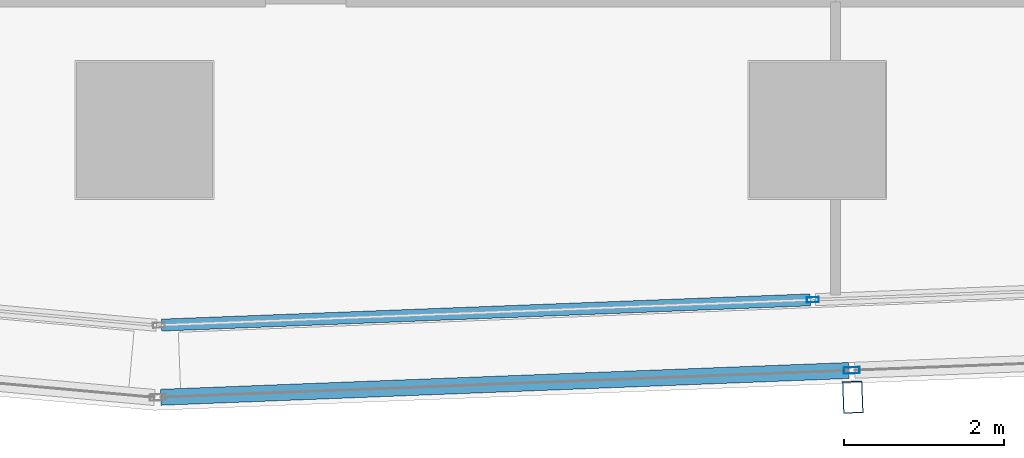
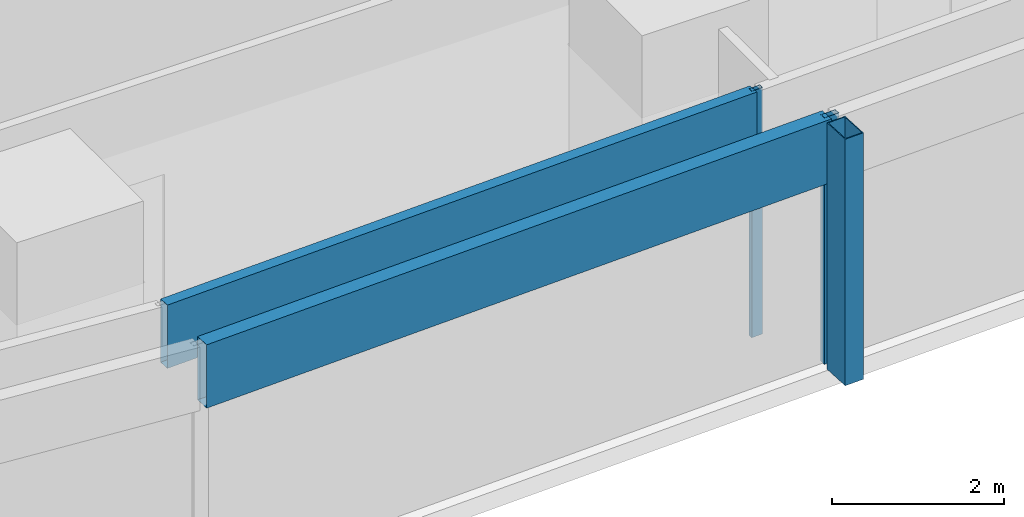
# One storey, part 4 of 38: 5 members, 2 elements without a shape of their own.
"""IFC4 building model written with IfcOpenShell, lengths in metres."""

from ifc_helpers import new_model, si_unit, direction, frame, origin, origin_2d, place, context, subcontext, project, spatial, hollow_rectangle, extrude, material, material_profile, profile_set, type_object, element, aggregate, save


model = new_model("IFC4")

# Units and contexts
model_context = context("Model", 3, precision=1e-05, world=origin(), true_north=direction((0.0, 1.0)))
body_context = subcontext(model_context, "Body", "Model", "MODEL_VIEW")
ifc_project = project(units=[si_unit("LENGTHUNIT", "METRE"), si_unit("AREAUNIT", "SQUARE_METRE"), si_unit("VOLUMEUNIT", "CUBIC_METRE"), si_unit("PLANEANGLEUNIT", "RADIAN"), si_unit("MASSUNIT", "GRAM", prefix="KILO")], contexts=[model_context])

# Site, building, storey
site_placement = place(None, origin())
site = spatial("IfcSite", under=ifc_project, at=site_placement, CompositionType="ELEMENT")
building_placement = place(site_placement, origin())
building = spatial("IfcBuilding", under=site, at=building_placement, Name="Rekha Terrace Tower", CompositionType="ELEMENT")
storey_placement = place(building_placement, frame((0.0, 0.0, 114.050048828125)))
storey = spatial("IfcBuildingStorey", under=building, at=storey_placement, Name="L28", CompositionType="ELEMENT", Elevation=114.050048828125)

# Curtain wall, member
ifc_material_1 = material(Name="Aluminium framing", Category="aluminium")
curtain_wall_type_1 = type_object("IfcCurtainWallType", Name="CW2 double skin outer glazing", PredefinedType="USERDEFINED", material=ifc_material_1)
curtain_wall_1_placement = place(storey_placement, origin())
curtain_wall_1 = element("IfcCurtainWall", 1, at=curtain_wall_1_placement, inside=storey, type_object=curtain_wall_type_1, Name="CW2 double skin outer glazing", ObjectType="DOUBLE SKIN OUTER GLAZING", PredefinedType="USERDEFINED")
ifc_material_2 = material(Name="Steel S355 with fluorocarbon finish", Category="steel")
ifc_material_profile_1 = material_profile(ifc_material_2, hollow_rectangle(XDim=0.25, YDim=0.39990234375, WallThickness=0.012451171875, at=origin_2d()), Name="RHS400x250x12.5")
ifc_profile_set_1 = profile_set([ifc_material_profile_1], Name="Steel S355 with fluorocarbon finish")
member_type_1 = type_object("IfcMemberType", Name="BL1 facade blade RHS 400 x 250", PredefinedType="USERDEFINED", material=ifc_profile_set_1)
member_1_placement = place(storey_placement, frame((34.042236328125, 13.46435546875, 0.0), z_axis=(0.0, 0.0, 1.0), x_axis=(0.999243494356, 0.038890088543, 0.0)))
member_1 = element("IfcMember", 2, at=member_1_placement, type_object=member_type_1, Name="Facade blade", ObjectType="FACADE BLADE", PredefinedType="USERDEFINED", context=body_context, shape_type="SweptSolid", body=[
    extrude(hollow_rectangle(XDim=0.25, YDim=0.39990234375, WallThickness=0.012451171875, at=origin_2d()), origin(), (0.0, 0.0, 1.0), 3.5),
])

# Curtain wall, members
curtain_wall_type_2 = type_object("IfcCurtainWallType", Name="CW1 double skin inner glazing", PredefinedType="USERDEFINED", material=ifc_material_1)
curtain_wall_2_placement = place(storey_placement, origin())
curtain_wall_2 = element("IfcCurtainWall", 3, at=curtain_wall_2_placement, inside=storey, type_object=curtain_wall_type_2, Name="CW1 double skin inner glazing", ObjectType="DOUBLE SKIN INNER GLAZING", PredefinedType="USERDEFINED")
ifc_material_3 = material(Name="Aluminium mullion section", Category="aluminium")
ifc_material_profile_2 = material_profile(ifc_material_3, hollow_rectangle(XDim=0.06494140625, YDim=0.14990234375, WallThickness=0.00390625, at=origin_2d()), Name="AL RHS 65x150")
ifc_profile_set_2 = profile_set([ifc_material_profile_2], Name="Aluminium mullion section")
member_type_2 = type_object("IfcMemberType", Name="CW1 mullion RHS 65 x 150", PredefinedType="MULLION", material=ifc_profile_set_2)
member_2_placement = place(storey_placement, frame((33.5439453125, 14.680908203125, 0.0), z_axis=(0.0, 0.0, 1.0), x_axis=(-0.038889971345, 0.999243498917, 0.0)))
member_2 = element("IfcMember", 4, at=member_2_placement, type_object=member_type_2, Name="CW1 mullion 2", PredefinedType="MULLION", context=body_context, shape_type="SweptSolid", body=[
    extrude(hollow_rectangle(XDim=0.06494140625, YDim=0.14990234375, WallThickness=0.00390625, at=origin_2d()), origin(), (0.0, 0.0, 1.0), 3.5),
])
ifc_material_4 = material(Name="Insulated aluminium spandrel box", Category="aluminium")
ifc_material_profile_3 = material_profile(ifc_material_4, hollow_rectangle(XDim=0.14990234375, YDim=0.89990234375, WallThickness=0.0029296875, at=origin_2d()), Name="AL SPANDREL BOX 150x900")
ifc_profile_set_3 = profile_set([ifc_material_profile_3], Name="Insulated aluminium spandrel box")
member_type_3 = type_object("IfcMemberType", Name="CW1 spandrel transom 150 x 900", PredefinedType="USERDEFINED", material=ifc_profile_set_3)
member_3_placement = place(storey_placement, frame((25.412353515625, 14.364501953125, 3.050048828125), z_axis=(0.999243630757, 0.038886583689, 0.0), x_axis=(-0.038886583689, 0.999243630757, 0.0)))
member_3 = element("IfcMember", 5, at=member_3_placement, type_object=member_type_3, Name="CW1 spandrel transom 1", ObjectType="TRANSOM", PredefinedType="USERDEFINED", context=body_context, shape_type="SweptSolid", body=[
    extrude(hollow_rectangle(XDim=0.14990234375, YDim=0.89990234375, WallThickness=0.0029296875, at=origin_2d()), origin(), (0.0, 0.0, 1.0), 8.105224609375),
])
aggregate(curtain_wall_2, [member_2, member_3])

# Member
ifc_material_profile_4 = material_profile(ifc_material_3, hollow_rectangle(XDim=0.080078125, YDim=0.199951171875, WallThickness=0.00390625, at=origin_2d()), Name="AL RHS 80x200")
ifc_profile_set_4 = profile_set([ifc_material_profile_4], Name="Aluminium mullion section")
member_type_4 = type_object("IfcMemberType", Name="CW2 mullion RHS 80 x 200", PredefinedType="MULLION", material=ifc_profile_set_4)
member_4_placement = place(storey_placement, frame((34.029052734375, 13.799072265625, 0.0), z_axis=(0.0, 0.0, 1.0), x_axis=(-0.038889971345, 0.999243498917, 0.0)))
member_4 = element("IfcMember", 6, at=member_4_placement, type_object=member_type_4, Name="CW2 mullion 2", PredefinedType="MULLION", context=body_context, shape_type="SweptSolid", body=[
    extrude(hollow_rectangle(XDim=0.080078125, YDim=0.199951171875, WallThickness=0.00390625, at=origin_2d()), origin(), (0.0, 0.0, 1.0), 3.5),
])

ifc_material_profile_5 = material_profile(ifc_material_4, hollow_rectangle(XDim=0.199951171875, YDim=0.89990234375, WallThickness=0.0029296875, at=origin_2d()), Name="AL SPANDREL BOX 200x900")
ifc_profile_set_5 = profile_set([ifc_material_profile_5], Name="Insulated aluminium spandrel box")
member_type_5 = type_object("IfcMemberType", Name="CW2 spandrel transom 200 x 900", PredefinedType="USERDEFINED", material=ifc_profile_set_5)
member_5_placement = place(storey_placement, frame((25.404052734375, 13.46337890625, 3.050048828125), z_axis=(0.999243058466, 0.038901286707, 0.0), x_axis=(-0.038901286707, 0.999243058466, 0.0)))
member_5 = element("IfcMember", 7, at=member_5_placement, type_object=member_type_5, Name="CW2 spandrel transom 1", ObjectType="TRANSOM", PredefinedType="USERDEFINED", context=body_context, shape_type="SweptSolid", body=[
    extrude(hollow_rectangle(XDim=0.199951171875, YDim=0.89990234375, WallThickness=0.0029296875, at=origin_2d()), origin(), (0.0, 0.0, 1.0), 8.591796875),
])

aggregate(curtain_wall_1, [member_4, member_5, member_1])

save(model, "model.ifc")
